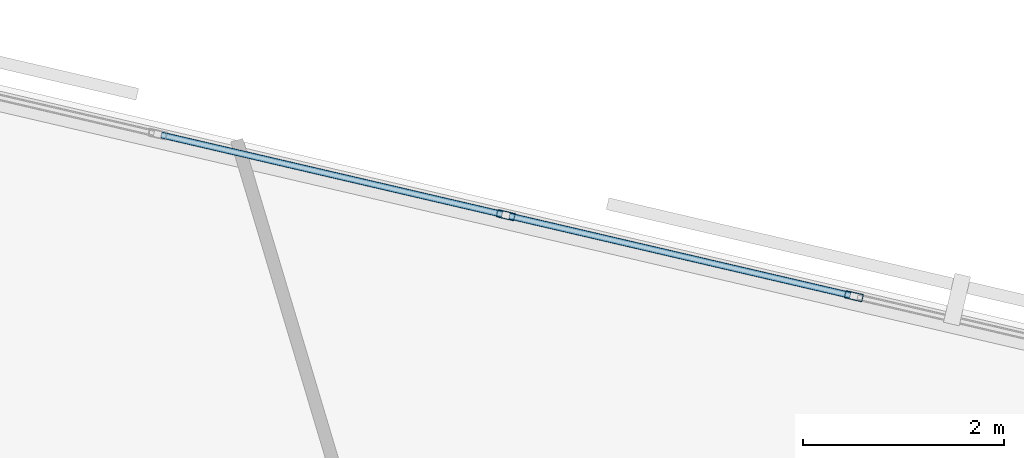
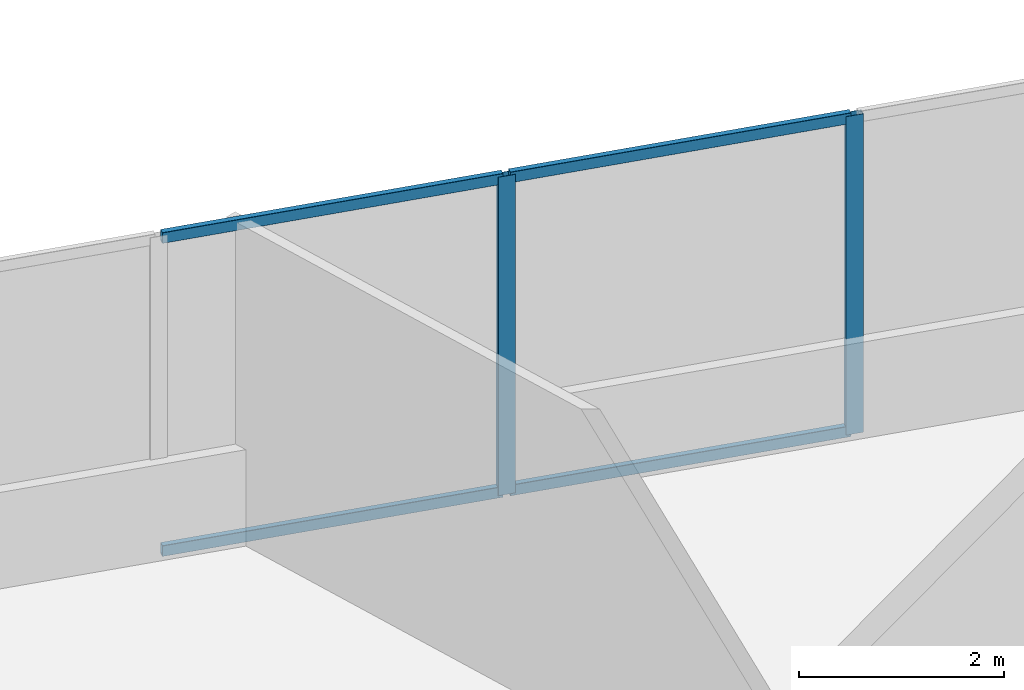
# One storey, part 7 of 14: 6 members, 1 element without a shape of its own.
"""IFC4 building model written with IfcOpenShell, lengths in metres."""

from ifc_helpers import new_model, si_unit, direction, frame, origin, origin_2d, place, context, subcontext, project, spatial, hollow_rectangle, extrude, material, material_profile, profile_set, type_object, element, aggregate, save


model = new_model("IFC4")

# Units and contexts
model_context = context("Model", 3, precision=1e-05, world=origin(), true_north=direction((0.0, 1.0)))
body_context = subcontext(model_context, "Body", "Model", "MODEL_VIEW")
ifc_project = project(units=[si_unit("LENGTHUNIT", "METRE"), si_unit("AREAUNIT", "SQUARE_METRE"), si_unit("VOLUMEUNIT", "CUBIC_METRE"), si_unit("PLANEANGLEUNIT", "RADIAN"), si_unit("MASSUNIT", "GRAM", prefix="KILO")], contexts=[model_context])

# Site, building, storey
site_placement = place(None, origin())
site = spatial("IfcSite", under=ifc_project, at=site_placement, CompositionType="ELEMENT")
building_placement = place(site_placement, origin())
building = spatial("IfcBuilding", under=site, at=building_placement, Name="Narakoshi Arena Tower", CompositionType="ELEMENT")
storey_placement = place(building_placement, frame((0.0, 0.0, 196.699951171875)))
storey = spatial("IfcBuildingStorey", under=building, at=storey_placement, Name="L53", CompositionType="ELEMENT", Elevation=196.699951171875)

# Curtain wall, members
ifc_material = material(Name="Anodised bronze aluminium 6063-T6", Category="aluminium")
curtain_wall_type = type_object("IfcCurtainWallType", Name="CW-HYP-MID", PredefinedType="NOTDEFINED", material=ifc_material)
curtain_wall_placement = place(storey_placement, origin())
curtain_wall = element("IfcCurtainWall", 1, at=curtain_wall_placement, inside=storey, type_object=curtain_wall_type, Name="L53 Folded Hypotenuse Curtain Wall 2-1", PredefinedType="NOTDEFINED")
ifc_material_profile_1 = material_profile(ifc_material, hollow_rectangle(XDim=0.074951171875, YDim=0.179931640625, WallThickness=0.00390625, OuterFilletRadius=0.0048828125, at=origin_2d()), Name="MUL180x75x4")
ifc_profile_set_1 = profile_set([ifc_material_profile_1], Name="Anodised bronze aluminium 6063-T6")
member_type_1 = type_object("IfcMemberType", Name="MEM-MUL-180", PredefinedType="MULLION", material=ifc_profile_set_1)
member_1_placement = place(storey_placement, frame((78.79150390625, 64.47216796875, 0.0), z_axis=(0.0, 0.0, 1.0), x_axis=(-0.22672122121, -0.973959695189, 0.0)))
member_1 = element("IfcMember", 2, at=member_1_placement, type_object=member_type_1, Name="CW-02 mullion 3", PredefinedType="MULLION", context=body_context, shape_type="SweptSolid", body=[
    extrude(hollow_rectangle(XDim=0.074951171875, YDim=0.179931640625, WallThickness=0.00390625, OuterFilletRadius=0.0048828125, at=origin_2d()), origin(), (0.0, 0.0, 1.0), 3.800048828125),
])
member_2_placement = place(storey_placement, frame((75.33056640625, 65.27783203125, 0.0), z_axis=(0.0, 0.0, 1.0), x_axis=(-0.22672122121, -0.973959695189, 0.0)))
member_2 = element("IfcMember", 3, at=member_2_placement, type_object=member_type_1, Name="CW-02 mullion 4", PredefinedType="MULLION", context=body_context, shape_type="SweptSolid", body=[
    extrude(hollow_rectangle(XDim=0.074951171875, YDim=0.179931640625, WallThickness=0.00390625, OuterFilletRadius=0.0048828125, at=origin_2d()), origin(), (0.0, 0.0, 1.0), 3.800048828125),
])
ifc_material_profile_2 = material_profile(ifc_material, hollow_rectangle(XDim=0.06494140625, YDim=0.1298828125, WallThickness=0.00390625, OuterFilletRadius=0.0048828125, at=origin_2d()), Name="TRN130x65x4")
ifc_profile_set_2 = profile_set([ifc_material_profile_2], Name="Anodised bronze aluminium 6063-T6")
member_type_2 = type_object("IfcMemberType", Name="MEM-TRN-130", PredefinedType="USERDEFINED", material=ifc_profile_set_2)
member_3_placement = place(storey_placement, frame((78.7548828125, 64.480712890625, 0.032470703125), z_axis=(-0.973961188664, 0.226714805375, 0.0), x_axis=(-0.226714805375, -0.973961188664, 0.0)))
member_3 = element("IfcMember", 4, at=member_3_placement, type_object=member_type_2, Name="CW-02 transom 3.1", ObjectType="TRANSOM", PredefinedType="USERDEFINED", context=body_context, shape_type="SweptSolid", body=[
    extrude(hollow_rectangle(XDim=0.06494140625, YDim=0.1298828125, WallThickness=0.00390625, OuterFilletRadius=0.0048828125, at=origin_2d()), origin(), (0.0, 0.0, 1.0), 3.478271484375),
])
member_4_placement = place(storey_placement, frame((78.7548828125, 64.480712890625, 3.767578125), z_axis=(-0.973961188664, 0.226714805375, 0.0), x_axis=(-0.226714805375, -0.973961188664, 0.0)))
member_4 = element("IfcMember", 5, at=member_4_placement, type_object=member_type_2, Name="CW-02 transom 3.2", ObjectType="TRANSOM", PredefinedType="USERDEFINED", context=body_context, shape_type="SweptSolid", body=[
    extrude(hollow_rectangle(XDim=0.06494140625, YDim=0.1298828125, WallThickness=0.00390625, OuterFilletRadius=0.0048828125, at=origin_2d()), origin(), (0.0, 0.0, 1.0), 3.478271484375),
])
member_5_placement = place(storey_placement, frame((75.294189453125, 65.286376953125, 0.032470703125), z_axis=(-0.97396479605, 0.226699307577, 0.0), x_axis=(-0.226699307577, -0.97396479605, 0.0)))
member_5 = element("IfcMember", 6, at=member_5_placement, type_object=member_type_2, Name="CW-02 transom 4.1", ObjectType="TRANSOM", PredefinedType="USERDEFINED", context=body_context, shape_type="SweptSolid", body=[
    extrude(hollow_rectangle(XDim=0.06494140625, YDim=0.1298828125, WallThickness=0.00390625, OuterFilletRadius=0.0048828125, at=origin_2d()), origin(), (0.0, 0.0, 1.0), 3.478515625),
])
member_6_placement = place(storey_placement, frame((75.294189453125, 65.286376953125, 3.767578125), z_axis=(-0.97396479605, 0.226699307577, 0.0), x_axis=(-0.226699307577, -0.97396479605, 0.0)))
member_6 = element("IfcMember", 7, at=member_6_placement, type_object=member_type_2, Name="CW-02 transom 4.2", ObjectType="TRANSOM", PredefinedType="USERDEFINED", context=body_context, shape_type="SweptSolid", body=[
    extrude(hollow_rectangle(XDim=0.06494140625, YDim=0.1298828125, WallThickness=0.00390625, OuterFilletRadius=0.0048828125, at=origin_2d()), origin(), (0.0, 0.0, 1.0), 3.478515625),
])
aggregate(curtain_wall, [member_1, member_2, member_3, member_4, member_5, member_6])

save(model, "model.ifc")
